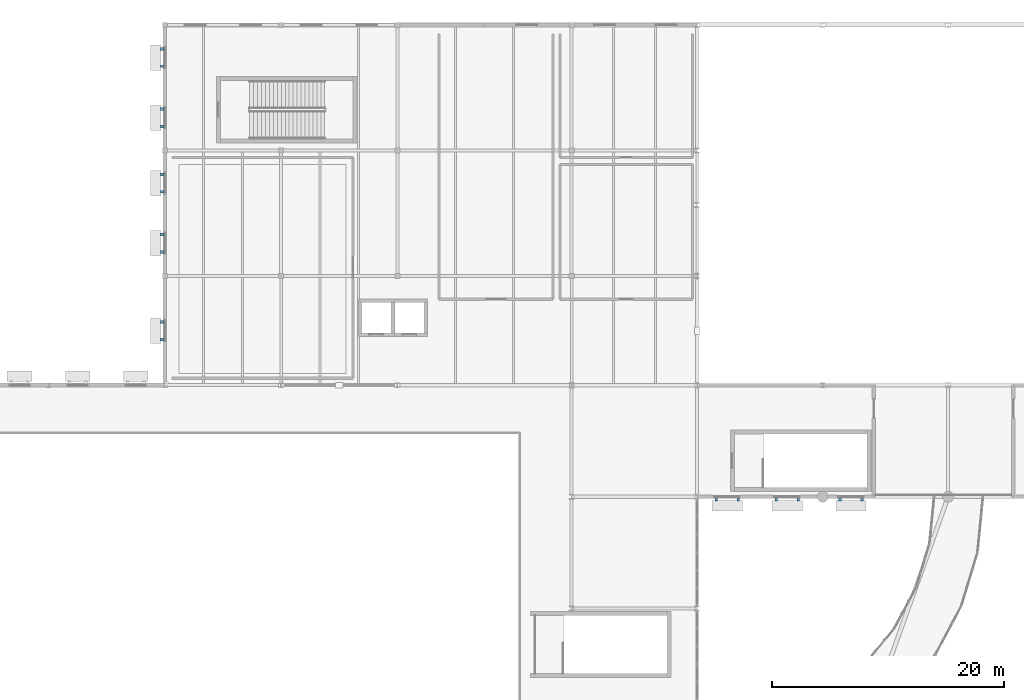
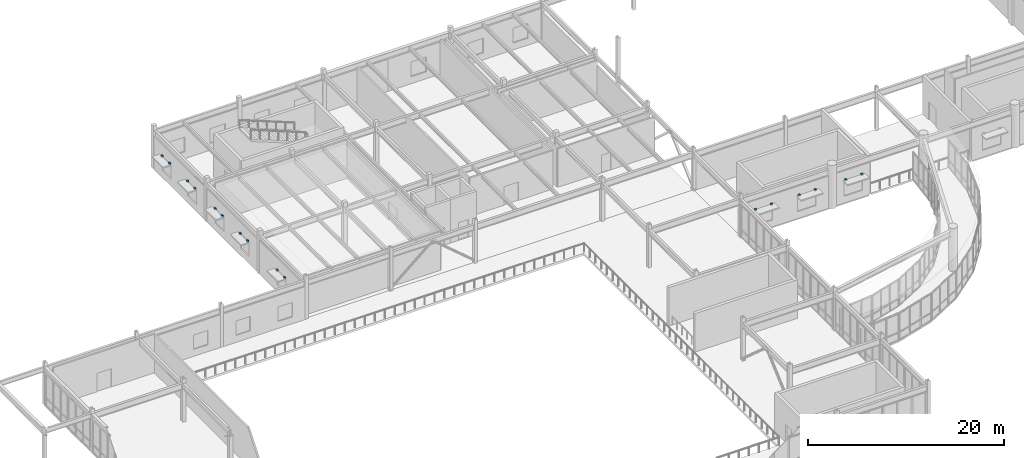
# One storey, part 59 of 68: 16 discrete accessories.
"""IFC4 building model written with IfcOpenShell, lengths in metres."""

from ifc_helpers import new_model, si_unit, direction, frame, origin, origin_2d, place, context, subcontext, project, spatial, rectangle, extrude, material, type_object, element, save


model = new_model("IFC4")

# Units and contexts
model_context = context("Model", 3, precision=1e-05, world=origin(), true_north=direction((0.0, 1.0)))
body_context = subcontext(model_context, "Body", "Model", "MODEL_VIEW")
ifc_project = project(units=[si_unit("LENGTHUNIT", "METRE"), si_unit("AREAUNIT", "SQUARE_METRE"), si_unit("VOLUMEUNIT", "CUBIC_METRE"), si_unit("PLANEANGLEUNIT", "RADIAN"), si_unit("MASSUNIT", "GRAM", prefix="KILO")], contexts=[model_context])

# Site, building, storey
site_placement = place(None, origin())
site = spatial("IfcSite", under=ifc_project, at=site_placement, CompositionType="ELEMENT")
building_placement = place(site_placement, origin())
building = spatial("IfcBuilding", under=site, at=building_placement, Name="Veldera Park Congress Hotel", CompositionType="ELEMENT")
storey_placement = place(building_placement, frame((0.0, 0.0, 10.800048828125)))
storey = spatial("IfcBuildingStorey", under=building, at=storey_placement, Name="L02", CompositionType="ELEMENT", Elevation=10.800048828125)

# Discrete accessories
ifc_material = material(Name="Steel ASTM A992 Gr.50", Category="steel")
discrete_accessory_type = type_object("IfcDiscreteAccessoryType", Name="ACC-BRK160", PredefinedType="BRACKET", material=ifc_material)
for number, where, z_axis, x_axis, name in (
    (1, (-47.64990234375, 55.9384765625, 2.669921875), (0.0, 0.0, 1.0), (0.0, -1.0, 0.0), "Shading Steel Outrigger Bracket 64L"),
    (2, (-47.64990234375, 54.4384765625, 2.669921875), (0.0, 0.0, 1.0), (0.0, -1.0, 0.0), "Shading Steel Outrigger Bracket 64R"),
    (3, (-47.64990234375, 50.761474609375, 2.669921875), (0.0, 0.0, 1.0), (0.0, -1.0, 0.0), "Shading Steel Outrigger Bracket 65L"),
    (4, (-47.64990234375, 49.261474609375, 2.669921875), (0.0, 0.0, 1.0), (0.0, -1.0, 0.0), "Shading Steel Outrigger Bracket 65R"),
    (5, (-47.64990234375, 45.138427734375, 2.669921875), (0.0, 0.0, 1.0), (0.0, -1.0, 0.0), "Shading Steel Outrigger Bracket 66L"),
    (6, (-47.64990234375, 43.638427734375, 2.669921875), (0.0, 0.0, 1.0), (0.0, -1.0, 0.0), "Shading Steel Outrigger Bracket 66R"),
    (7, (-47.64990234375, 39.96142578125, 2.669921875), (0.0, 0.0, 1.0), (0.0, -1.0, 0.0), "Shading Steel Outrigger Bracket 67L"),
    (8, (-47.64990234375, 38.46142578125, 2.669921875), (0.0, 0.0, 1.0), (0.0, -1.0, 0.0), "Shading Steel Outrigger Bracket 67R"),
    (9, (-47.64990234375, 32.430419921875, 2.669921875), (0.0, 0.0, 1.0), (0.0, -1.0, 0.0), "Shading Steel Outrigger Bracket 68L"),
    (10, (-47.64990234375, 30.930419921875, 2.669921875), (0.0, 0.0, 1.0), (0.0, -1.0, 0.0), "Shading Steel Outrigger Bracket 68R"),
    (11, (0.035888671875, 17.14990234375, 2.81982421875), (0.0, 0.0, 1.0), (1.0, 0.0, 0.0), "Shading Steel Outrigger Bracket 69L"),
    (12, (1.935791015625, 17.14990234375, 2.81982421875), (0.0, 0.0, 1.0), (1.0, 0.0, 0.0), "Shading Steel Outrigger Bracket 69R"),
    (13, (5.196533203125, 17.14990234375, 2.81982421875), (0.0, 0.0, 1.0), (1.0, 0.0, 0.0), "Shading Steel Outrigger Bracket 70L"),
    (14, (7.0966796875, 17.14990234375, 2.81982421875), (0.0, 0.0, 1.0), (1.0, 0.0, 0.0), "Shading Steel Outrigger Bracket 70R"),
    (15, (10.6865234375, 17.14990234375, 2.81982421875), (0.0, 0.0, 1.0), (1.0, 0.0, 0.0), "Shading Steel Outrigger Bracket 71L"),
    (16, (12.58642578125, 17.14990234375, 2.81982421875), (0.0, 0.0, 1.0), (1.0, 0.0, 0.0), "Shading Steel Outrigger Bracket 71R"),
):
    element("IfcDiscreteAccessory", number, at=place(storey_placement, frame(where, z_axis=z_axis, x_axis=x_axis)), inside=storey, type_object=discrete_accessory_type, Name=name, PredefinedType="BRACKET", context=body_context, shape_type="SweptSolid", body=[
        extrude(rectangle(XDim=0.239990234375, YDim=0.239990234375, at=origin_2d()), origin(), (0.0, 0.0, 1.0), 0.219970703125),
    ])

save(model, "model.ifc")
